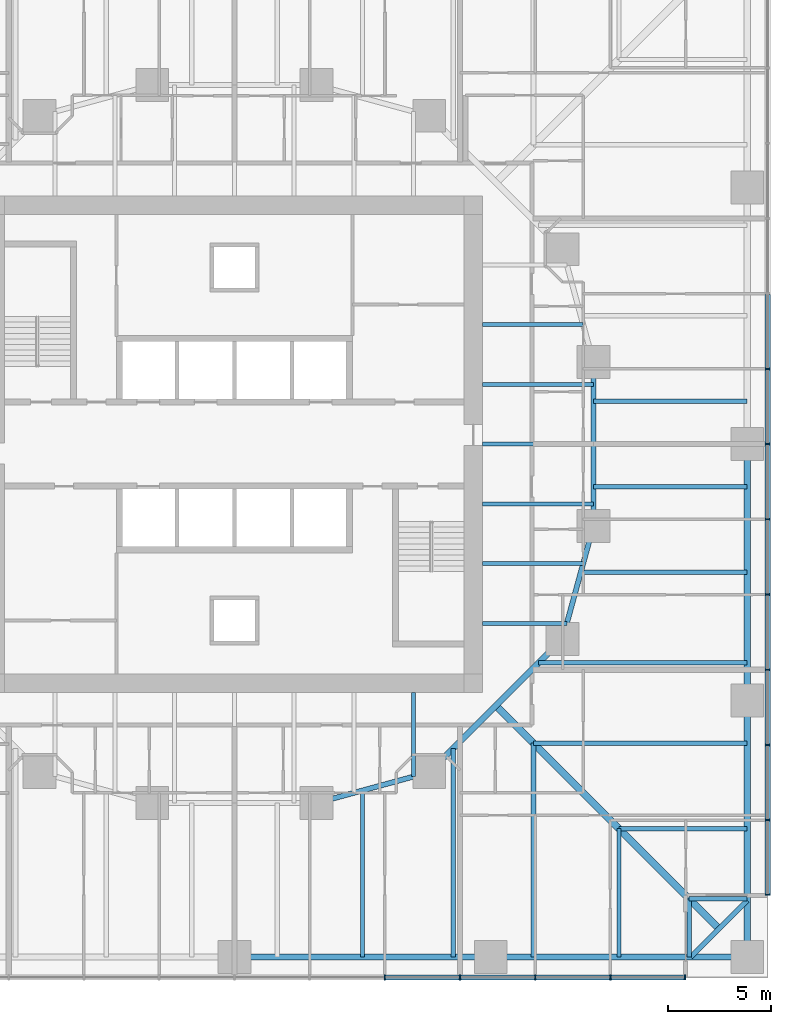
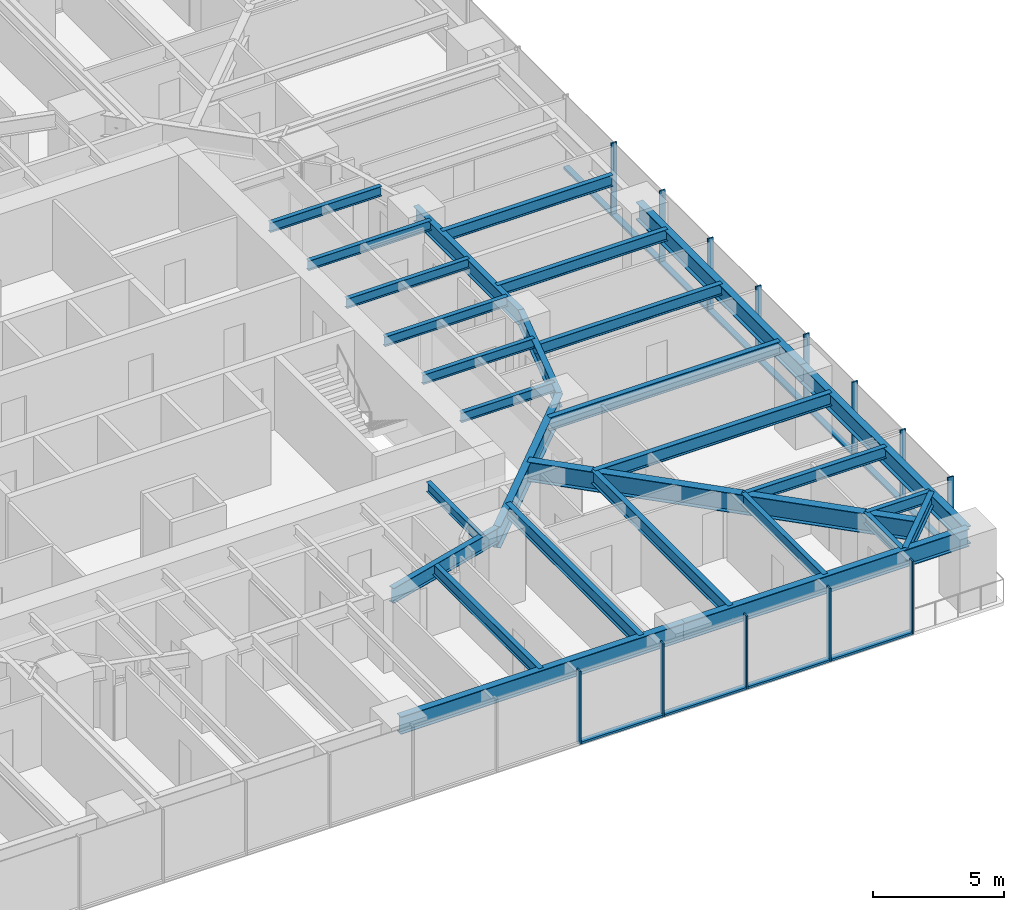
# One storey, part 4 of 17: 29 beams, 25 members, 2 elements without a shape of their own.
"""IFC4 building model written with IfcOpenShell, lengths in metres."""

from ifc_helpers import new_model, si_unit, direction, frame, origin, origin_2d, place, context, subcontext, project, spatial, rectangle, i_section, extrude, material, material_profile, profile_set, type_object, element, aggregate, save


model = new_model("IFC4")

# Units and contexts
model_context = context("Model", 3, precision=1e-05, world=origin(), true_north=direction((0.0, 1.0)))
body_context = subcontext(model_context, "Body", "Model", "MODEL_VIEW")
ifc_project = project(units=[si_unit("LENGTHUNIT", "METRE"), si_unit("AREAUNIT", "SQUARE_METRE"), si_unit("VOLUMEUNIT", "CUBIC_METRE"), si_unit("PLANEANGLEUNIT", "RADIAN"), si_unit("MASSUNIT", "GRAM", prefix="KILO")], contexts=[model_context])

# Site, building, storey
site_placement = place(None, origin())
site = spatial("IfcSite", under=ifc_project, at=site_placement, CompositionType="ELEMENT")
building_placement = place(site_placement, origin())
building = spatial("IfcBuilding", under=site, at=building_placement, Name="Torsade Residences", CompositionType="ELEMENT")
storey_placement = place(building_placement, frame((0.0, 0.0, 18.39990234375)))
storey = spatial("IfcBuildingStorey", under=building, at=storey_placement, Name="L04", CompositionType="ELEMENT", Elevation=18.39990234375)

# Beams
ifc_material_1 = material(Name="Steel grade 300", Category="steel")
ifc_material_profile_1 = material_profile(ifc_material_1, i_section(OverallWidth=0.35009765625, OverallDepth=0.909912109375, WebThickness=0.011962890625, FlangeThickness=0.02490234375, at=origin_2d()), Name="900WB218")
ifc_profile_set_1 = profile_set([ifc_material_profile_1], Name="Steel grade 300")
beam_type_1 = type_object("IfcBeamType", Name="CORNER GIRDER 900WB218", PredefinedType="BEAM", material=ifc_profile_set_1)
beam_1_placement = place(storey_placement, frame((63.625, 6.375, 2.795166015625), z_axis=(-0.707106781187, 0.707106781187, 0.0), x_axis=(-0.707106781187, -0.707106781187, 0.0)))
element("IfcBeam", 1, at=beam_1_placement, inside=storey, type_object=beam_type_1, Name="Corner girder 05 L05", PredefinedType="BEAM", context=body_context, shape_type="SweptSolid", body=[
    extrude(i_section(OverallWidth=0.35009765625, OverallDepth=0.909912109375, WebThickness=0.011962890625, FlangeThickness=0.02490234375, at=origin_2d()), origin(), (0.0, 0.0, 1.0), 15.379638671875),
])
ifc_material_2 = material(Name="Steel grade 300", Category="steel")
ifc_material_profile_2 = material_profile(ifc_material_2, i_section(OverallWidth=0.22802734375, OverallDepth=0.60205078125, WebThickness=0.010498046875, FlangeThickness=0.014892578125, FilletRadius=0.013916015625, at=origin_2d()), Name="610UB101")
ifc_profile_set_2 = profile_set([ifc_material_profile_2], Name="Steel grade 300")
beam_type_2 = type_object("IfcBeamType", Name="CORNER TRIMMER 610UB101", PredefinedType="BEAM", material=ifc_profile_set_2)
beam_2_placement = place(storey_placement, frame((65.0, 7.75, 2.94921875), z_axis=(-0.707106781187, -0.707106781187, 0.0), x_axis=(0.707106781187, -0.707106781187, 0.0)))
element("IfcBeam", 2, at=beam_2_placement, inside=storey, type_object=beam_type_2, Name="Corner trimmer 05 L05", PredefinedType="BEAM", context=body_context, shape_type="SweptSolid", body=[
    extrude(i_section(OverallWidth=0.22802734375, OverallDepth=0.60205078125, WebThickness=0.010498046875, FlangeThickness=0.014892578125, FilletRadius=0.013916015625, at=origin_2d()), origin(), (0.0, 0.0, 1.0), 3.88916015625),
])

# Curtain wall, members
ifc_material_3 = material(Name="Aluminium and glass", Category="aluminium")
curtain_wall_type = type_object("IfcCurtainWallType", Name="FRITTED GLASS CURTAIN WALL LOW ZONE", PredefinedType="NOTDEFINED", material=ifc_material_3)
curtain_wall_1_placement = place(storey_placement, origin())
curtain_wall_1 = element("IfcCurtainWall", 3, at=curtain_wall_1_placement, inside=storey, type_object=curtain_wall_type, Name="Curtain wall L04 face 1", PredefinedType="NOTDEFINED")
ifc_material_4 = material(Name="Aluminium mullion", Category="aluminium")
ifc_material_profile_3 = material_profile(ifc_material_4, rectangle(XDim=0.25, YDim=0.06494140625, at=origin_2d()), Name="CURTAIN WALL MULLION 250x65")
ifc_profile_set_3 = profile_set([ifc_material_profile_3], Name="Aluminium mullion")
member_type_1 = type_object("IfcMemberType", Name="CURTAIN WALL MULLION 250x65", PredefinedType="MULLION", material=ifc_profile_set_3)
member_1_placement = place(storey_placement, frame((47.333251953125, 4.0, 0.0), z_axis=(0.0, 0.0, 1.0), x_axis=(0.0, 1.0, 0.0)))
member_1 = element("IfcMember", 4, at=member_1_placement, type_object=member_type_1, Name="Mullion 9", PredefinedType="MULLION", context=body_context, shape_type="SweptSolid", body=[
    extrude(rectangle(XDim=0.25, YDim=0.06494140625, at=origin_2d()), origin(), (0.0, 0.0, 1.0), 3.400146484375),
])
member_2_placement = place(storey_placement, frame((51.0, 4.0, 0.0), z_axis=(0.0, 0.0, 1.0), x_axis=(0.0, 1.0, 0.0)))
member_2 = element("IfcMember", 5, at=member_2_placement, type_object=member_type_1, Name="Mullion 10", PredefinedType="MULLION", context=body_context, shape_type="SweptSolid", body=[
    extrude(rectangle(XDim=0.25, YDim=0.06494140625, at=origin_2d()), origin(), (0.0, 0.0, 1.0), 3.400146484375),
])
member_3_placement = place(storey_placement, frame((54.666748046875, 4.0, 0.0), z_axis=(0.0, 0.0, 1.0), x_axis=(0.0, 1.0, 0.0)))
member_3 = element("IfcMember", 6, at=member_3_placement, type_object=member_type_1, Name="Mullion 11", PredefinedType="MULLION", context=body_context, shape_type="SweptSolid", body=[
    extrude(rectangle(XDim=0.25, YDim=0.06494140625, at=origin_2d()), origin(), (0.0, 0.0, 1.0), 3.400146484375),
])
member_4_placement = place(storey_placement, frame((58.333251953125, 4.0, 0.0), z_axis=(0.0, 0.0, 1.0), x_axis=(0.0, 1.0, 0.0)))
member_4 = element("IfcMember", 7, at=member_4_placement, type_object=member_type_1, Name="Mullion 12", PredefinedType="MULLION", context=body_context, shape_type="SweptSolid", body=[
    extrude(rectangle(XDim=0.25, YDim=0.06494140625, at=origin_2d()), origin(), (0.0, 0.0, 1.0), 3.400146484375),
])
member_5_placement = place(storey_placement, frame((61.967529296875, 4.0, 0.0), z_axis=(0.0, 0.0, 1.0), x_axis=(0.0, 1.0, 0.0)))
member_5 = element("IfcMember", 8, at=member_5_placement, type_object=member_type_1, Name="Mullion 13", PredefinedType="MULLION", context=body_context, shape_type="SweptSolid", body=[
    extrude(rectangle(XDim=0.25, YDim=0.06494140625, at=origin_2d()), origin(), (0.0, 0.0, 1.0), 3.400146484375),
])

curtain_wall_2_placement = place(storey_placement, origin())
curtain_wall_2 = element("IfcCurtainWall", 9, at=curtain_wall_2_placement, inside=storey, type_object=curtain_wall_type, Name="Curtain wall L04 face 4", PredefinedType="NOTDEFINED")
member_6_placement = place(storey_placement, frame((66.0, 8.032470703125, 0.0), z_axis=(0.0, 0.0, 1.0), x_axis=(-1.0, 0.0, 0.0)))
member_6 = element("IfcMember", 10, at=member_6_placement, type_object=member_type_1, Name="Mullion 1", PredefinedType="MULLION", context=body_context, shape_type="SweptSolid", body=[
    extrude(rectangle(XDim=0.25, YDim=0.06494140625, at=origin_2d()), origin(), (0.0, 0.0, 1.0), 3.400146484375),
])
member_7_placement = place(storey_placement, frame((66.0, 11.666748046875, 0.0), z_axis=(0.0, 0.0, 1.0), x_axis=(-1.0, 0.0, 0.0)))
member_7 = element("IfcMember", 11, at=member_7_placement, type_object=member_type_1, Name="Mullion 2", PredefinedType="MULLION", context=body_context, shape_type="SweptSolid", body=[
    extrude(rectangle(XDim=0.25, YDim=0.06494140625, at=origin_2d()), origin(), (0.0, 0.0, 1.0), 3.400146484375),
])
member_8_placement = place(storey_placement, frame((66.0, 15.333251953125, 0.0), z_axis=(0.0, 0.0, 1.0), x_axis=(-1.0, 0.0, 0.0)))
member_8 = element("IfcMember", 12, at=member_8_placement, type_object=member_type_1, Name="Mullion 3", PredefinedType="MULLION", context=body_context, shape_type="SweptSolid", body=[
    extrude(rectangle(XDim=0.25, YDim=0.06494140625, at=origin_2d()), origin(), (0.0, 0.0, 1.0), 3.400146484375),
])
member_9_placement = place(storey_placement, frame((66.0, 19.0, 0.0), z_axis=(0.0, 0.0, 1.0), x_axis=(-1.0, 0.0, 0.0)))
member_9 = element("IfcMember", 13, at=member_9_placement, type_object=member_type_1, Name="Mullion 4", PredefinedType="MULLION", context=body_context, shape_type="SweptSolid", body=[
    extrude(rectangle(XDim=0.25, YDim=0.06494140625, at=origin_2d()), origin(), (0.0, 0.0, 1.0), 3.400146484375),
])
member_10_placement = place(storey_placement, frame((66.0, 22.666748046875, 0.0), z_axis=(0.0, 0.0, 1.0), x_axis=(-1.0, 0.0, 0.0)))
member_10 = element("IfcMember", 14, at=member_10_placement, type_object=member_type_1, Name="Mullion 5", PredefinedType="MULLION", context=body_context, shape_type="SweptSolid", body=[
    extrude(rectangle(XDim=0.25, YDim=0.06494140625, at=origin_2d()), origin(), (0.0, 0.0, 1.0), 3.400146484375),
])
member_11_placement = place(storey_placement, frame((66.0, 26.333251953125, 0.0), z_axis=(0.0, 0.0, 1.0), x_axis=(-1.0, 0.0, 0.0)))
member_11 = element("IfcMember", 15, at=member_11_placement, type_object=member_type_1, Name="Mullion 6", PredefinedType="MULLION", context=body_context, shape_type="SweptSolid", body=[
    extrude(rectangle(XDim=0.25, YDim=0.06494140625, at=origin_2d()), origin(), (0.0, 0.0, 1.0), 3.400146484375),
])
member_12_placement = place(storey_placement, frame((66.0, 30.0, 0.0), z_axis=(0.0, 0.0, 1.0), x_axis=(-1.0, 0.0, 0.0)))
member_12 = element("IfcMember", 16, at=member_12_placement, type_object=member_type_1, Name="Mullion 7", PredefinedType="MULLION", context=body_context, shape_type="SweptSolid", body=[
    extrude(rectangle(XDim=0.25, YDim=0.06494140625, at=origin_2d()), origin(), (0.0, 0.0, 1.0), 3.400146484375),
])
member_13_placement = place(storey_placement, frame((66.0, 33.666748046875, 0.0), z_axis=(0.0, 0.0, 1.0), x_axis=(-1.0, 0.0, 0.0)))
member_13 = element("IfcMember", 17, at=member_13_placement, type_object=member_type_1, Name="Mullion 8", PredefinedType="MULLION", context=body_context, shape_type="SweptSolid", body=[
    extrude(rectangle(XDim=0.25, YDim=0.06494140625, at=origin_2d()), origin(), (0.0, 0.0, 1.0), 3.400146484375),
])

# Member
ifc_material_5 = material(Name="Aluminium transom", Category="aluminium")
ifc_material_profile_4 = material_profile(ifc_material_5, rectangle(XDim=0.25, YDim=0.10009765625, at=origin_2d()), Name="CURTAIN WALL TRANSOM 250x100")
ifc_profile_set_4 = profile_set([ifc_material_profile_4], Name="Aluminium transom")
member_type_2 = type_object("IfcMemberType", Name="CURTAIN WALL TRANSOM 250x100", PredefinedType="USERDEFINED", material=ifc_profile_set_4)
member_14_placement = place(storey_placement, frame((47.36572265625, 4.0, 0.050048828125), z_axis=(1.0, 0.0, 0.0), x_axis=(0.0, 1.0, 0.0)))
member_14 = element("IfcMember", 18, at=member_14_placement, type_object=member_type_2, Name="Transom 9.1", ObjectType="TRANSOM", PredefinedType="USERDEFINED", context=body_context, shape_type="SweptSolid", body=[
    extrude(rectangle(XDim=0.25, YDim=0.10009765625, at=origin_2d()), origin(), (0.0, 0.0, 1.0), 3.601806640625),
])

member_15_placement = place(storey_placement, frame((51.032470703125, 4.0, 0.050048828125), z_axis=(1.0, 0.0, 0.0), x_axis=(0.0, 1.0, 0.0)))
member_15 = element("IfcMember", 19, at=member_15_placement, type_object=member_type_2, Name="Transom 10.1", ObjectType="TRANSOM", PredefinedType="USERDEFINED", context=body_context, shape_type="SweptSolid", body=[
    extrude(rectangle(XDim=0.25, YDim=0.10009765625, at=origin_2d()), origin(), (0.0, 0.0, 1.0), 3.601806640625),
])

member_16_placement = place(storey_placement, frame((54.69921875, 4.0, 0.050048828125), z_axis=(1.0, 0.0, 0.0), x_axis=(0.0, 1.0, 0.0)))
member_16 = element("IfcMember", 20, at=member_16_placement, type_object=member_type_2, Name="Transom 11.1", ObjectType="TRANSOM", PredefinedType="USERDEFINED", context=body_context, shape_type="SweptSolid", body=[
    extrude(rectangle(XDim=0.25, YDim=0.10009765625, at=origin_2d()), origin(), (0.0, 0.0, 1.0), 3.6015625),
])

member_17_placement = place(storey_placement, frame((58.36572265625, 4.0, 0.050048828125), z_axis=(1.0, 0.0, 0.0), x_axis=(0.0, 1.0, 0.0)))
member_17 = element("IfcMember", 21, at=member_17_placement, type_object=member_type_2, Name="Transom 12.1", ObjectType="TRANSOM", PredefinedType="USERDEFINED", context=body_context, shape_type="SweptSolid", body=[
    extrude(rectangle(XDim=0.25, YDim=0.10009765625, at=origin_2d()), origin(), (0.0, 0.0, 1.0), 3.5693359375),
])

aggregate(curtain_wall_1, [member_1, member_2, member_3, member_4, member_5, member_14, member_15, member_16, member_17])

member_18_placement = place(storey_placement, frame((66.0, 8.06494140625, 0.050048828125), z_axis=(0.0, 1.0, 0.0), x_axis=(-1.0, 0.0, 0.0)))
member_18 = element("IfcMember", 22, at=member_18_placement, type_object=member_type_2, Name="Transom 1.1", ObjectType="TRANSOM", PredefinedType="USERDEFINED", context=body_context, shape_type="SweptSolid", body=[
    extrude(rectangle(XDim=0.25, YDim=0.10009765625, at=origin_2d()), origin(), (0.0, 0.0, 1.0), 3.5693359375),
])

member_19_placement = place(storey_placement, frame((66.0, 11.69921875, 0.050048828125), z_axis=(0.0, 1.0, 0.0), x_axis=(-1.0, 0.0, 0.0)))
member_19 = element("IfcMember", 23, at=member_19_placement, type_object=member_type_2, Name="Transom 2.1", ObjectType="TRANSOM", PredefinedType="USERDEFINED", context=body_context, shape_type="SweptSolid", body=[
    extrude(rectangle(XDim=0.25, YDim=0.10009765625, at=origin_2d()), origin(), (0.0, 0.0, 1.0), 3.6015625),
])

member_20_placement = place(storey_placement, frame((66.0, 15.36572265625, 0.050048828125), z_axis=(0.0, 1.0, 0.0), x_axis=(-1.0, 0.0, 0.0)))
member_20 = element("IfcMember", 24, at=member_20_placement, type_object=member_type_2, Name="Transom 3.1", ObjectType="TRANSOM", PredefinedType="USERDEFINED", context=body_context, shape_type="SweptSolid", body=[
    extrude(rectangle(XDim=0.25, YDim=0.10009765625, at=origin_2d()), origin(), (0.0, 0.0, 1.0), 3.601806640625),
])

member_21_placement = place(storey_placement, frame((66.0, 19.032470703125, 0.050048828125), z_axis=(0.0, 1.0, 0.0), x_axis=(-1.0, 0.0, 0.0)))
member_21 = element("IfcMember", 25, at=member_21_placement, type_object=member_type_2, Name="Transom 4.1", ObjectType="TRANSOM", PredefinedType="USERDEFINED", context=body_context, shape_type="SweptSolid", body=[
    extrude(rectangle(XDim=0.25, YDim=0.10009765625, at=origin_2d()), origin(), (0.0, 0.0, 1.0), 3.601806640625),
])

member_22_placement = place(storey_placement, frame((66.0, 22.69921875, 0.050048828125), z_axis=(0.0, 1.0, 0.0), x_axis=(-1.0, 0.0, 0.0)))
member_22 = element("IfcMember", 26, at=member_22_placement, type_object=member_type_2, Name="Transom 5.1", ObjectType="TRANSOM", PredefinedType="USERDEFINED", context=body_context, shape_type="SweptSolid", body=[
    extrude(rectangle(XDim=0.25, YDim=0.10009765625, at=origin_2d()), origin(), (0.0, 0.0, 1.0), 3.6015625),
])

member_23_placement = place(storey_placement, frame((66.0, 26.36572265625, 0.050048828125), z_axis=(0.0, 1.0, 0.0), x_axis=(-1.0, 0.0, 0.0)))
member_23 = element("IfcMember", 27, at=member_23_placement, type_object=member_type_2, Name="Transom 6.1", ObjectType="TRANSOM", PredefinedType="USERDEFINED", context=body_context, shape_type="SweptSolid", body=[
    extrude(rectangle(XDim=0.25, YDim=0.10009765625, at=origin_2d()), origin(), (0.0, 0.0, 1.0), 3.601806640625),
])

member_24_placement = place(storey_placement, frame((66.0, 30.032470703125, 0.050048828125), z_axis=(0.0, 1.0, 0.0), x_axis=(-1.0, 0.0, 0.0)))
member_24 = element("IfcMember", 28, at=member_24_placement, type_object=member_type_2, Name="Transom 7.1", ObjectType="TRANSOM", PredefinedType="USERDEFINED", context=body_context, shape_type="SweptSolid", body=[
    extrude(rectangle(XDim=0.25, YDim=0.10009765625, at=origin_2d()), origin(), (0.0, 0.0, 1.0), 3.601806640625),
])

member_25_placement = place(storey_placement, frame((66.0, 33.69921875, 0.050048828125), z_axis=(0.0, 1.0, 0.0), x_axis=(-1.0, 0.0, 0.0)))
member_25 = element("IfcMember", 29, at=member_25_placement, type_object=member_type_2, Name="Transom 8.1", ObjectType="TRANSOM", PredefinedType="USERDEFINED", context=body_context, shape_type="SweptSolid", body=[
    extrude(rectangle(XDim=0.25, YDim=0.10009765625, at=origin_2d()), origin(), (0.0, 0.0, 1.0), 3.6015625),
])

aggregate(curtain_wall_2, [member_6, member_7, member_8, member_9, member_10, member_11, member_12, member_13, member_18, member_19, member_20, member_21, member_22, member_23, member_24, member_25])

# Beams
ifc_material_6 = material(Name="Steel grade 300", Category="steel")
ifc_material_profile_5 = material_profile(ifc_material_6, i_section(OverallWidth=0.300048828125, OverallDepth=0.81591796875, WebThickness=0.010009765625, FlangeThickness=0.028076171875, at=origin_2d()), Name="800WB192")
ifc_profile_set_5 = profile_set([ifc_material_profile_5], Name="Steel grade 300")
beam_type_3 = type_object("IfcBeamType", Name="EDGE BEAM 800WB192", PredefinedType="SPANDREL", material=ifc_profile_set_5)
for number, where, z_axis, x_axis, name in (
    (30, (40.0, 5.0, 2.842041015625), (1.0, 0.0, 0.0), (0.0, 1.0, 0.0), "Edge beam 03 L05"),
    (31, (52.5, 5.0, 2.842041015625), (1.0, 0.0, 0.0), (0.0, 1.0, 0.0), "Edge beam 04 L05"),
    (32, (65.0, 5.0, 2.842041015625), (0.0, 1.0, 0.0), (-1.0, 0.0, 0.0), "Edge beam 05 L05"),
    (33, (65.0, 17.5, 2.842041015625), (0.0, 1.0, 0.0), (-1.0, 0.0, 0.0), "Edge beam 06 L05"),
):
    element("IfcBeam", number, at=place(storey_placement, frame(where, z_axis=z_axis, x_axis=x_axis)), inside=storey, type_object=beam_type_3, Name=name, PredefinedType="SPANDREL", context=body_context, shape_type="SweptSolid", body=[
        extrude(i_section(OverallWidth=0.300048828125, OverallDepth=0.81591796875, WebThickness=0.010009765625, FlangeThickness=0.028076171875, at=origin_2d()), origin(), (0.0, 0.0, 1.0), 12.5),
    ])
ifc_material_7 = material(Name="Steel grade 300", Category="steel")
ifc_material_profile_6 = material_profile(ifc_material_7, i_section(OverallWidth=0.18994140625, OverallDepth=0.4541015625, WebThickness=0.008544921875, FlangeThickness=0.0126953125, FilletRadius=0.011474609375, at=origin_2d()), Name="460UB67.1")
ifc_profile_set_6 = profile_set([ifc_material_profile_6], Name="Steel grade 300")
beam_type_4 = type_object("IfcBeamType", Name="INNER FLOOR BEAM 460UB67.1", PredefinedType="JOIST", material=ifc_profile_set_6)
for number, where, z_axis, x_axis, name in (
    (34, (48.737548828125, 17.89990234375, 3.023193359375), (0.0, -1.0, 0.0), (1.0, 0.0, 0.0), "Inner floor beam IS01 L05"),
    (35, (52.10009765625, 21.262451171875, 3.023193359375), (1.0, 0.0, 0.0), (0.0, 1.0, 0.0), "Inner floor beam IE01 L05"),
):
    element("IfcBeam", number, at=place(storey_placement, frame(where, z_axis=z_axis, x_axis=x_axis)), inside=storey, type_object=beam_type_4, Name=name, PredefinedType="JOIST", context=body_context, shape_type="SweptSolid", body=[
        extrude(i_section(OverallWidth=0.18994140625, OverallDepth=0.4541015625, WebThickness=0.008544921875, FlangeThickness=0.0126953125, FilletRadius=0.011474609375, at=origin_2d()), origin(), (0.0, 0.0, 1.0), 4.10791015625),
    ])
beam_3_placement = place(storey_placement, frame((52.10009765625, 24.175048828125, 3.023193359375), z_axis=(1.0, 0.0, 0.0), x_axis=(0.0, 1.0, 0.0)))
element("IfcBeam", 36, at=beam_3_placement, inside=storey, type_object=beam_type_4, Name="Inner floor beam IE02 L05", PredefinedType="JOIST", context=body_context, shape_type="SweptSolid", body=[
    extrude(i_section(OverallWidth=0.18994140625, OverallDepth=0.4541015625, WebThickness=0.008544921875, FlangeThickness=0.0126953125, FilletRadius=0.011474609375, at=origin_2d()), origin(), (0.0, 0.0, 1.0), 4.902099609375),
])
for number, where, z_axis, x_axis, name in (
    (37, (52.10009765625, 27.08740234375, 3.023193359375), (1.0, 0.0, 0.0), (0.0, 1.0, 0.0), "Inner floor beam IE03 L05"),
    (38, (52.10009765625, 30.0, 3.023193359375), (1.0, 0.0, 0.0), (0.0, 1.0, 0.0), "Inner floor beam IE04 L05"),
    (39, (52.10009765625, 32.91259765625, 3.023193359375), (1.0, 0.0, 0.0), (0.0, 1.0, 0.0), "Inner floor beam IE05 L05"),
):
    element("IfcBeam", number, at=place(storey_placement, frame(where, z_axis=z_axis, x_axis=x_axis)), inside=storey, type_object=beam_type_4, Name=name, PredefinedType="JOIST", context=body_context, shape_type="SweptSolid", body=[
        extrude(i_section(OverallWidth=0.18994140625, OverallDepth=0.4541015625, WebThickness=0.008544921875, FlangeThickness=0.0126953125, FilletRadius=0.011474609375, at=origin_2d()), origin(), (0.0, 0.0, 1.0), 5.39990234375),
    ])
beam_4_placement = place(storey_placement, frame((52.10009765625, 35.824951171875, 3.023193359375), z_axis=(1.0, 0.0, 0.0), x_axis=(0.0, 1.0, 0.0)))
element("IfcBeam", 40, at=beam_4_placement, inside=storey, type_object=beam_type_4, Name="Inner floor beam IE06 L05", PredefinedType="JOIST", context=body_context, shape_type="SweptSolid", body=[
    extrude(i_section(OverallWidth=0.18994140625, OverallDepth=0.4541015625, WebThickness=0.008544921875, FlangeThickness=0.0126953125, FilletRadius=0.011474609375, at=origin_2d()), origin(), (0.0, 0.0, 1.0), 4.902099609375),
])
ifc_material_8 = material(Name="Steel grade 300", Category="steel")
ifc_material_profile_7 = material_profile(ifc_material_8, i_section(OverallWidth=0.300048828125, OverallDepth=1.0, WebThickness=0.01611328125, FlangeThickness=0.028076171875, at=origin_2d()), Name="1000WB215")
ifc_profile_set_7 = profile_set([ifc_material_profile_7], Name="Steel grade 300")
beam_type_5 = type_object("IfcBeamType", Name="RING CORNER GIRDER 1000WB215", PredefinedType="BEAM", material=ifc_profile_set_7)
beam_5_placement = place(storey_placement, frame((49.5, 14.0, 2.75), z_axis=(0.707106781187, 0.707106781187, 0.0), x_axis=(-0.707106781187, 0.707106781187, 0.0)))
element("IfcBeam", 41, at=beam_5_placement, inside=storey, type_object=beam_type_5, Name="Ring girder IR15 L05", PredefinedType="BEAM", context=body_context, shape_type="SweptSolid", body=[
    extrude(i_section(OverallWidth=0.300048828125, OverallDepth=1.0, WebThickness=0.01611328125, FlangeThickness=0.028076171875, at=origin_2d()), origin(), (0.0, 0.0, 1.0), 9.1923828125),
])
ifc_material_9 = material(Name="Steel grade 300", Category="steel")
ifc_material_profile_8 = material_profile(ifc_material_9, i_section(OverallWidth=0.25, OverallDepth=0.699951171875, WebThickness=0.010009765625, FlangeThickness=0.02001953125, at=origin_2d()), Name="700WB130")
ifc_profile_set_8 = profile_set([ifc_material_profile_8], Name="Steel grade 300")
beam_type_6 = type_object("IfcBeamType", Name="RING GIRDER 700WB130", PredefinedType="BEAM", material=ifc_profile_set_8)
beam_6_placement = place(storey_placement, frame((57.5, 26.0, 2.900146484375), z_axis=(0.0, 1.0, 0.0), x_axis=(-1.0, 0.0, 0.0)))
element("IfcBeam", 42, at=beam_6_placement, inside=storey, type_object=beam_type_6, Name="Ring girder IR01 L05", PredefinedType="BEAM", context=body_context, shape_type="SweptSolid", body=[
    extrude(i_section(OverallWidth=0.25, OverallDepth=0.699951171875, WebThickness=0.010009765625, FlangeThickness=0.02001953125, at=origin_2d()), origin(), (0.0, 0.0, 1.0), 8.0),
])
for number, where, z_axis, x_axis, name in (
    (43, (44.0, 12.5, 2.900146484375), (0.964763821238, 0.263117405792, 0.0), (-0.263117405792, 0.964763821238, 0.0), "Ring girder IR14 L05"),
    (44, (56.0, 20.5, 2.900146484375), (0.263117405792, 0.964763821238, 0.0), (-0.964763821238, 0.263117405792, 0.0), "Ring girder IR16 L05"),
):
    element("IfcBeam", number, at=place(storey_placement, frame(where, z_axis=z_axis, x_axis=x_axis)), inside=storey, type_object=beam_type_6, Name=name, PredefinedType="BEAM", context=body_context, shape_type="SweptSolid", body=[
        extrude(i_section(OverallWidth=0.25, OverallDepth=0.699951171875, WebThickness=0.010009765625, FlangeThickness=0.02001953125, at=origin_2d()), origin(), (0.0, 0.0, 1.0), 5.700927734375),
    ])
ifc_material_10 = material(Name="Steel grade 300", Category="steel")
ifc_material_profile_9 = material_profile(ifc_material_10, i_section(OverallWidth=0.208984375, OverallDepth=0.528076171875, WebThickness=0.009521484375, FlangeThickness=0.01318359375, FilletRadius=0.013916015625, at=origin_2d()), Name="530UB82.0")
ifc_profile_set_9 = profile_set([ifc_material_profile_9], Name="Steel grade 300")
beam_type_7 = type_object("IfcBeamType", Name="SECONDARY BEAM 530UB82.0", PredefinedType="JOIST", material=ifc_profile_set_9)
beam_7_placement = place(storey_placement, frame((46.25, 5.0, 2.986083984375), z_axis=(0.0, 1.0, 0.0), x_axis=(-1.0, 0.0, 0.0)))
element("IfcBeam", 45, at=beam_7_placement, inside=storey, type_object=beam_type_7, Name="Floor beam FS08 L05", PredefinedType="JOIST", context=body_context, shape_type="SweptSolid", body=[
    extrude(i_section(OverallWidth=0.208984375, OverallDepth=0.528076171875, WebThickness=0.009521484375, FlangeThickness=0.01318359375, FilletRadius=0.013916015625, at=origin_2d()), origin(), (0.0, 0.0, 1.0), 8.113525390625),
])
beam_8_placement = place(storey_placement, frame((58.75, 5.0, 2.986083984375), z_axis=(0.0, 1.0, 0.0), x_axis=(-1.0, 0.0, 0.0)))
element("IfcBeam", 46, at=beam_8_placement, inside=storey, type_object=beam_type_7, Name="Floor beam FS11 L05", PredefinedType="JOIST", context=body_context, shape_type="SweptSolid", body=[
    extrude(i_section(OverallWidth=0.208984375, OverallDepth=0.528076171875, WebThickness=0.009521484375, FlangeThickness=0.01318359375, FilletRadius=0.013916015625, at=origin_2d()), origin(), (0.0, 0.0, 1.0), 6.25),
])
for number, where, z_axis, x_axis, name in (
    (47, (62.166748046875, 5.0, 2.986083984375), (0.0, 1.0, 0.0), (-1.0, 0.0, 0.0), "Floor beam FS12 L05"),
    (48, (65.0, 7.833251953125, 2.986083984375), (-1.0, 0.0, 0.0), (0.0, -1.0, 0.0), "Floor beam FE01 L05"),
):
    element("IfcBeam", number, at=place(storey_placement, frame(where, z_axis=z_axis, x_axis=x_axis)), inside=storey, type_object=beam_type_7, Name=name, PredefinedType="JOIST", context=body_context, shape_type="SweptSolid", body=[
        extrude(i_section(OverallWidth=0.208984375, OverallDepth=0.528076171875, WebThickness=0.009521484375, FlangeThickness=0.01318359375, FilletRadius=0.013916015625, at=origin_2d()), origin(), (0.0, 0.0, 1.0), 2.833251953125),
    ])
beam_9_placement = place(storey_placement, frame((65.0, 11.25, 2.986083984375), z_axis=(-1.0, 0.0, 0.0), x_axis=(0.0, -1.0, 0.0)))
element("IfcBeam", 49, at=beam_9_placement, inside=storey, type_object=beam_type_7, Name="Floor beam FE02 L05", PredefinedType="JOIST", context=body_context, shape_type="SweptSolid", body=[
    extrude(i_section(OverallWidth=0.208984375, OverallDepth=0.528076171875, WebThickness=0.009521484375, FlangeThickness=0.01318359375, FilletRadius=0.013916015625, at=origin_2d()), origin(), (0.0, 0.0, 1.0), 6.25),
])
beam_10_placement = place(storey_placement, frame((65.0, 23.75, 2.986083984375), z_axis=(-1.0, 0.0, 0.0), x_axis=(0.0, -1.0, 0.0)))
element("IfcBeam", 50, at=beam_10_placement, inside=storey, type_object=beam_type_7, Name="Floor beam FE05 L05", PredefinedType="JOIST", context=body_context, shape_type="SweptSolid", body=[
    extrude(i_section(OverallWidth=0.208984375, OverallDepth=0.528076171875, WebThickness=0.009521484375, FlangeThickness=0.01318359375, FilletRadius=0.013916015625, at=origin_2d()), origin(), (0.0, 0.0, 1.0), 8.113525390625),
])
for number, where, z_axis, x_axis, name in (
    (51, (65.0, 27.916748046875, 2.986083984375), (-1.0, 0.0, 0.0), (0.0, -1.0, 0.0), "Floor beam FE06 L05"),
    (52, (65.0, 32.083251953125, 2.986083984375), (-1.0, 0.0, 0.0), (0.0, -1.0, 0.0), "Floor beam FE07 L05"),
):
    element("IfcBeam", number, at=place(storey_placement, frame(where, z_axis=z_axis, x_axis=x_axis)), inside=storey, type_object=beam_type_7, Name=name, PredefinedType="JOIST", context=body_context, shape_type="SweptSolid", body=[
        extrude(i_section(OverallWidth=0.208984375, OverallDepth=0.528076171875, WebThickness=0.009521484375, FlangeThickness=0.01318359375, FilletRadius=0.013916015625, at=origin_2d()), origin(), (0.0, 0.0, 1.0), 7.5),
    ])
ifc_material_11 = material(Name="Steel grade 300", Category="steel")
ifc_material_profile_10 = material_profile(ifc_material_11, i_section(OverallWidth=0.22900390625, OverallDepth=0.612060546875, WebThickness=0.011962890625, FlangeThickness=0.01953125, FilletRadius=0.013916015625, at=origin_2d()), Name="610UB125")
ifc_profile_set_10 = profile_set([ifc_material_profile_10], Name="Steel grade 300")
beam_type_8 = type_object("IfcBeamType", Name="SECONDARY BEAM 610UB125", PredefinedType="JOIST", material=ifc_profile_set_10)
beam_11_placement = place(storey_placement, frame((50.666748046875, 5.0, 2.944091796875), z_axis=(0.0, 1.0, 0.0), x_axis=(-1.0, 0.0, 0.0)))
element("IfcBeam", 53, at=beam_11_placement, inside=storey, type_object=beam_type_8, Name="Floor beam FS09 L05", PredefinedType="JOIST", context=body_context, shape_type="SweptSolid", body=[
    extrude(i_section(OverallWidth=0.22900390625, OverallDepth=0.612060546875, WebThickness=0.011962890625, FlangeThickness=0.01953125, FilletRadius=0.013916015625, at=origin_2d()), origin(), (0.0, 0.0, 1.0), 10.166748046875),
])
for number, where, z_axis, x_axis, name in (
    (54, (54.583251953125, 5.0, 2.944091796875), (0.0, 1.0, 0.0), (-1.0, 0.0, 0.0), "Floor beam FS10 L05"),
    (55, (65.0, 15.416748046875, 2.944091796875), (-1.0, 0.0, 0.0), (0.0, -1.0, 0.0), "Floor beam FE03 L05"),
):
    element("IfcBeam", number, at=place(storey_placement, frame(where, z_axis=z_axis, x_axis=x_axis)), inside=storey, type_object=beam_type_8, Name=name, PredefinedType="JOIST", context=body_context, shape_type="SweptSolid", body=[
        extrude(i_section(OverallWidth=0.22900390625, OverallDepth=0.612060546875, WebThickness=0.011962890625, FlangeThickness=0.01953125, FilletRadius=0.013916015625, at=origin_2d()), origin(), (0.0, 0.0, 1.0), 10.416748046875),
    ])
beam_12_placement = place(storey_placement, frame((65.0, 19.333251953125, 2.944091796875), z_axis=(-1.0, 0.0, 0.0), x_axis=(0.0, -1.0, 0.0)))
element("IfcBeam", 56, at=beam_12_placement, inside=storey, type_object=beam_type_8, Name="Floor beam FE04 L05", PredefinedType="JOIST", context=body_context, shape_type="SweptSolid", body=[
    extrude(i_section(OverallWidth=0.22900390625, OverallDepth=0.612060546875, WebThickness=0.011962890625, FlangeThickness=0.01953125, FilletRadius=0.013916015625, at=origin_2d()), origin(), (0.0, 0.0, 1.0), 10.166748046875),
])

save(model, "model.ifc")
